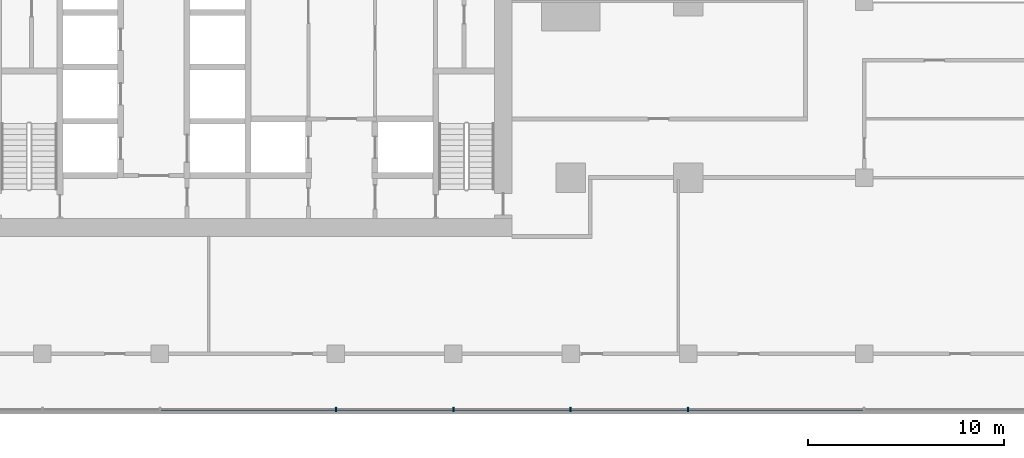
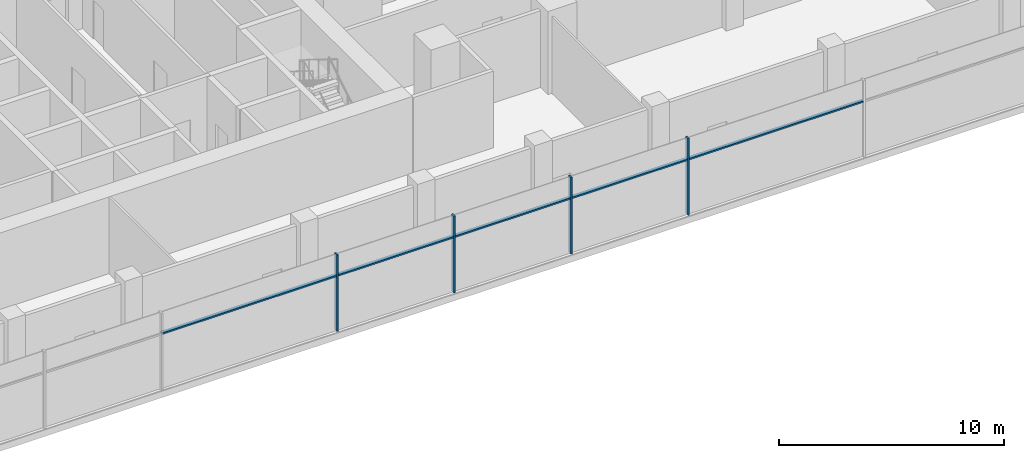
# One storey, part 3 of 22: 9 members, 1 element without a shape of its own.
"""IFC4 building model written with IfcOpenShell, lengths in metres."""

from ifc_helpers import new_model, si_unit, direction, frame, origin, origin_2d, place, context, subcontext, project, spatial, rectangle, extrude, material, material_profile, profile_set, type_object, element, aggregate, save


model = new_model("IFC4")

# Units and contexts
model_context = context("Model", 3, precision=1e-05, world=origin(), true_north=direction((0.0, 1.0)))
body_context = subcontext(model_context, "Body", "Model", "MODEL_VIEW")
ifc_project = project(units=[si_unit("LENGTHUNIT", "METRE"), si_unit("AREAUNIT", "SQUARE_METRE"), si_unit("VOLUMEUNIT", "CUBIC_METRE"), si_unit("PLANEANGLEUNIT", "RADIAN"), si_unit("MASSUNIT", "GRAM", prefix="KILO")], contexts=[model_context])

# Site, building, storey
site_placement = place(None, origin())
site = spatial("IfcSite", under=ifc_project, at=site_placement, CompositionType="ELEMENT")
building_placement = place(site_placement, origin())
building = spatial("IfcBuilding", under=site, at=building_placement, Name="Finial Court Residences", CompositionType="ELEMENT")
storey_placement = place(building_placement, frame((0.0, 0.0, 23.5)))
storey = spatial("IfcBuildingStorey", under=building, at=storey_placement, Name="L04", CompositionType="ELEMENT", Elevation=23.5)

# Curtain wall, members
ifc_material = material(Name="Bronze anodised aluminium", Category="aluminium")
curtain_wall_type = type_object("IfcCurtainWallType", Name="Podium curtain wall", PredefinedType="NOTDEFINED", material=ifc_material)
curtain_wall_placement = place(storey_placement, origin())
curtain_wall = element("IfcCurtainWall", 1, at=curtain_wall_placement, inside=storey, type_object=curtain_wall_type, Name="E-L04-CW-S3", PredefinedType="NOTDEFINED")
ifc_material_profile_1 = material_profile(ifc_material, rectangle(XDim=0.22509765625, YDim=0.080078125, at=origin_2d()), Name="CW5 mullion 80 x 225")
ifc_profile_set_1 = profile_set([ifc_material_profile_1], Name="Bronze anodised aluminium")
member_type_1 = type_object("IfcMemberType", Name="CW5 mullion 80 x 225", PredefinedType="MULLION", material=ifc_profile_set_1)
member_1_placement = place(storey_placement, frame((4.5, -34.35009765625, 0.0), z_axis=(0.0, 0.0, 1.0), x_axis=(0.0, 1.0, 0.0)))
member_1 = element("IfcMember", 2, at=member_1_placement, type_object=member_type_1, Name="CW5 mullion 7", PredefinedType="MULLION", context=body_context, shape_type="SweptSolid", body=[
    extrude(rectangle(XDim=0.22509765625, YDim=0.080078125, at=origin_2d()), origin(), (0.0, 0.0, 1.0), 4.14990234375),
])
member_2_placement = place(storey_placement, frame((10.5, -34.35009765625, 0.0), z_axis=(0.0, 0.0, 1.0), x_axis=(0.0, 1.0, 0.0)))
member_2 = element("IfcMember", 3, at=member_2_placement, type_object=member_type_1, Name="CW5 mullion 8", PredefinedType="MULLION", context=body_context, shape_type="SweptSolid", body=[
    extrude(rectangle(XDim=0.22509765625, YDim=0.080078125, at=origin_2d()), origin(), (0.0, 0.0, 1.0), 4.14990234375),
])
member_3_placement = place(storey_placement, frame((16.5, -34.35009765625, 0.0), z_axis=(0.0, 0.0, 1.0), x_axis=(0.0, 1.0, 0.0)))
member_3 = element("IfcMember", 4, at=member_3_placement, type_object=member_type_1, Name="CW5 mullion 9", PredefinedType="MULLION", context=body_context, shape_type="SweptSolid", body=[
    extrude(rectangle(XDim=0.22509765625, YDim=0.080078125, at=origin_2d()), origin(), (0.0, 0.0, 1.0), 4.14990234375),
])
member_4_placement = place(storey_placement, frame((22.5, -34.35009765625, 0.0), z_axis=(0.0, 0.0, 1.0), x_axis=(0.0, 1.0, 0.0)))
member_4 = element("IfcMember", 5, at=member_4_placement, type_object=member_type_1, Name="CW5 mullion 10", PredefinedType="MULLION", context=body_context, shape_type="SweptSolid", body=[
    extrude(rectangle(XDim=0.22509765625, YDim=0.080078125, at=origin_2d()), origin(), (0.0, 0.0, 1.0), 4.14990234375),
])
ifc_material_profile_2 = material_profile(ifc_material, rectangle(XDim=0.175048828125, YDim=0.080078125, at=origin_2d()), Name="CW5 transom 80 x 175")
ifc_profile_set_2 = profile_set([ifc_material_profile_2], Name="Bronze anodised aluminium")
member_type_2 = type_object("IfcMemberType", Name="CW5 transom 80 x 175", PredefinedType="USERDEFINED", material=ifc_profile_set_2)
member_5_placement = place(storey_placement, frame((-4.4599609375, -34.35009765625, 3.0), z_axis=(1.0, 0.0, 0.0), x_axis=(0.0, 1.0, 0.0)))
member_5 = element("IfcMember", 6, at=member_5_placement, type_object=member_type_2, Name="CW5 transom 6.1", ObjectType="TRANSOM", PredefinedType="USERDEFINED", context=body_context, shape_type="SweptSolid", body=[
    extrude(rectangle(XDim=0.175048828125, YDim=0.080078125, at=origin_2d()), origin(), (0.0, 0.0, 1.0), 8.919921875),
])
member_6_placement = place(storey_placement, frame((4.5400390625, -34.35009765625, 3.0), z_axis=(1.0, 0.0, 0.0), x_axis=(0.0, 1.0, 0.0)))
member_6 = element("IfcMember", 7, at=member_6_placement, type_object=member_type_2, Name="CW5 transom 7.1", ObjectType="TRANSOM", PredefinedType="USERDEFINED", context=body_context, shape_type="SweptSolid", body=[
    extrude(rectangle(XDim=0.175048828125, YDim=0.080078125, at=origin_2d()), origin(), (0.0, 0.0, 1.0), 5.919921875),
])
member_7_placement = place(storey_placement, frame((10.5400390625, -34.35009765625, 3.0), z_axis=(1.0, 0.0, 0.0), x_axis=(0.0, 1.0, 0.0)))
member_7 = element("IfcMember", 8, at=member_7_placement, type_object=member_type_2, Name="CW5 transom 8.1", ObjectType="TRANSOM", PredefinedType="USERDEFINED", context=body_context, shape_type="SweptSolid", body=[
    extrude(rectangle(XDim=0.175048828125, YDim=0.080078125, at=origin_2d()), origin(), (0.0, 0.0, 1.0), 5.919921875),
])
member_8_placement = place(storey_placement, frame((16.5400390625, -34.35009765625, 3.0), z_axis=(1.0, 0.0, 0.0), x_axis=(0.0, 1.0, 0.0)))
member_8 = element("IfcMember", 9, at=member_8_placement, type_object=member_type_2, Name="CW5 transom 9.1", ObjectType="TRANSOM", PredefinedType="USERDEFINED", context=body_context, shape_type="SweptSolid", body=[
    extrude(rectangle(XDim=0.175048828125, YDim=0.080078125, at=origin_2d()), origin(), (0.0, 0.0, 1.0), 5.919921875),
])
member_9_placement = place(storey_placement, frame((22.5400390625, -34.35009765625, 3.0), z_axis=(1.0, 0.0, 0.0), x_axis=(0.0, 1.0, 0.0)))
member_9 = element("IfcMember", 10, at=member_9_placement, type_object=member_type_2, Name="CW5 transom 10.1", ObjectType="TRANSOM", PredefinedType="USERDEFINED", context=body_context, shape_type="SweptSolid", body=[
    extrude(rectangle(XDim=0.175048828125, YDim=0.080078125, at=origin_2d()), origin(), (0.0, 0.0, 1.0), 8.919921875),
])
aggregate(curtain_wall, [member_1, member_2, member_3, member_4, member_5, member_6, member_7, member_8, member_9])

save(model, "model.ifc")
